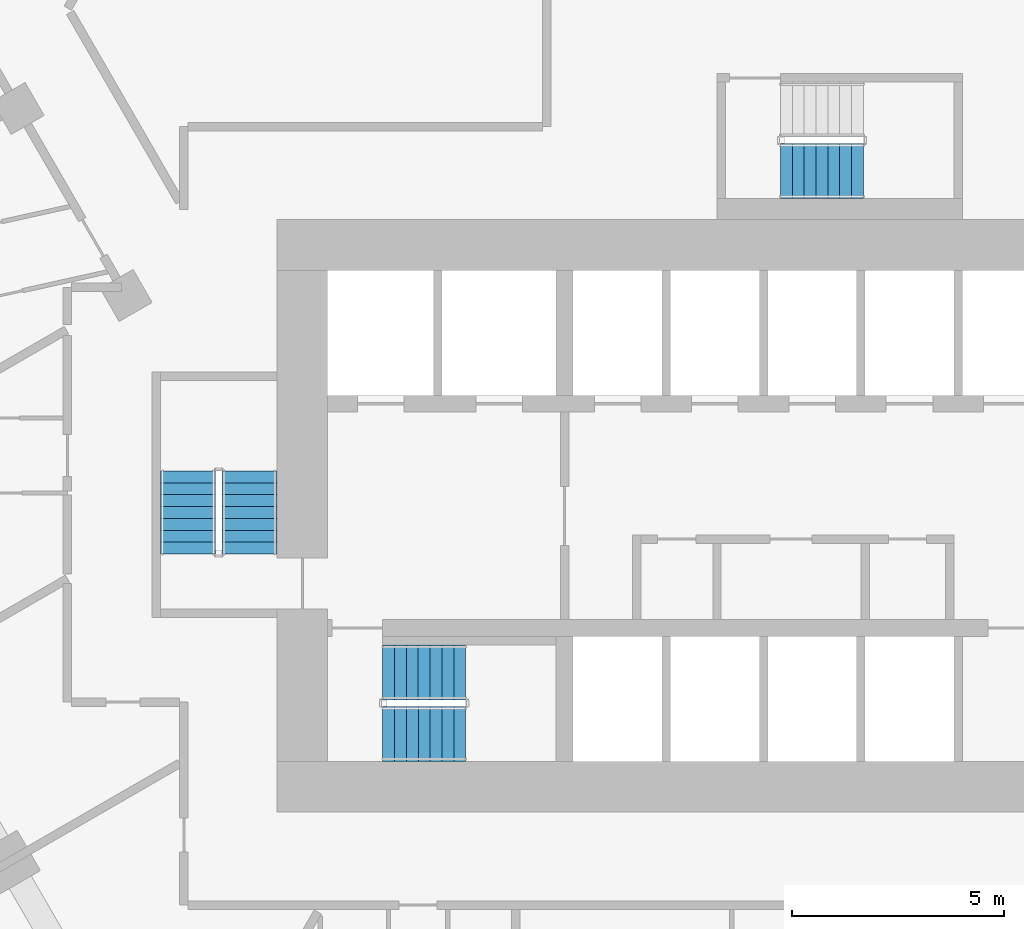
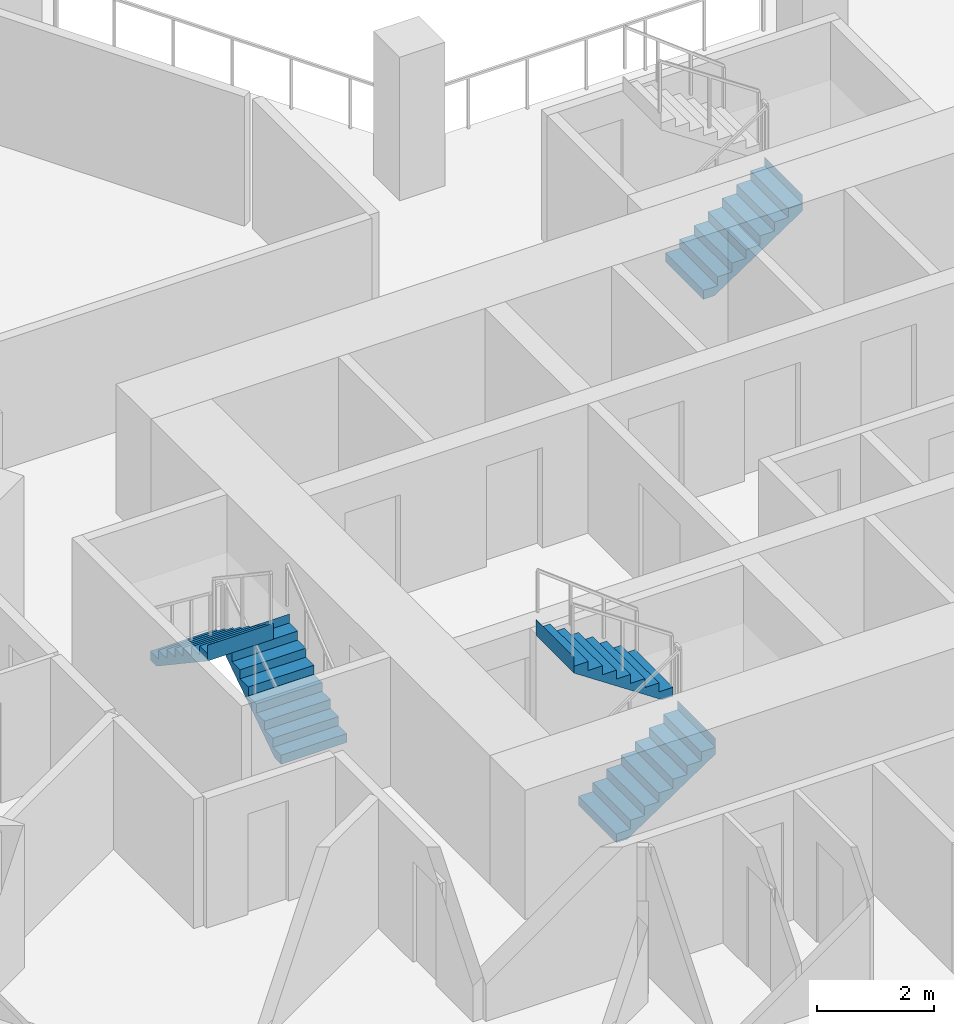
# One storey, part 16 of 21: 5 stair flights, 3 elements without a shape of their own.
"""IFC4 building model written with IfcOpenShell, lengths in metres."""

from ifc_helpers import new_model, si_unit, direction, frame, origin, place, context, subcontext, project, spatial, triangles, material, type_object, element, aggregate, save


model = new_model("IFC4")

# Units and contexts
model_context = context("Model", 3, precision=1e-05, world=origin(), true_north=direction((0.0, 1.0)))
body_context = subcontext(model_context, "Body", "Model", "MODEL_VIEW")
ifc_project = project(units=[si_unit("LENGTHUNIT", "METRE"), si_unit("AREAUNIT", "SQUARE_METRE"), si_unit("VOLUMEUNIT", "CUBIC_METRE"), si_unit("PLANEANGLEUNIT", "RADIAN"), si_unit("MASSUNIT", "GRAM", prefix="KILO")], contexts=[model_context])

# Site, building, storey
site_placement = place(None, origin())
site = spatial("IfcSite", under=ifc_project, at=site_placement, CompositionType="ELEMENT")
building_placement = place(site_placement, origin())
building = spatial("IfcBuilding", under=site, at=building_placement, Name="Beryl Residences", CompositionType="ELEMENT")
storey_placement = place(building_placement, frame((0.0, 0.0, 29.39990234375)))
storey = spatial("IfcBuildingStorey", under=building, at=storey_placement, Name="L08", CompositionType="ELEMENT", Elevation=29.39990234375)

# Stair, stair flights
ifc_material_1 = material(Name="Concrete C40/50", Category="concrete")
stair_type = type_object("IfcStairType", Name="ST1 protected exit stair, half-turn, 1300 mm flights", PredefinedType="HALF_TURN_STAIR", material=ifc_material_1)
stair_1_placement = place(storey_placement, origin())
stair_1 = element("IfcStair", 1, at=stair_1_placement, inside=storey, type_object=stair_type, Name="L08 PROTECTED EXIT STAIR ST-1", PredefinedType="HALF_TURN_STAIR")
ifc_material_2 = material(Name="Concrete C40/50", Category="concrete")
stair_flight_type = type_object("IfcStairFlightType", Name="SF1 stair flight 1300 mm", PredefinedType="STRAIGHT", material=ifc_material_2)
stair_flight_1_placement = place(storey_placement, frame((-10.800048828125, -17.14990234375, 0.0), z_axis=(0.0, 0.0, 1.0), x_axis=(1.0, 0.0, 0.0)))
stair_flight_1 = element("IfcStairFlight", 2, at=stair_flight_1_placement, type_object=stair_flight_type, Name="ST-1 flight 1", NumberOfRisers=8, NumberOfTreads=7, PredefinedType="STRAIGHT", RiserHeight=0.1875, TreadLength=0.28, context=body_context, shape_type="Tessellation", body=[
    triangles([(0.0, -0.64990234375, 0.0), (0.0, -0.324951171875, 0.0), (0.0, 0.0, 0.0), (0.0, 0.324951171875, 0.0), (0.0, 0.64990234375, 0.0), (0.0, -0.64990234375, 0.1875), (0.0, -0.324951171875, 0.1875), (0.0, 0.0, 0.1875), (0.0, 0.324951171875, 0.1875), (0.0, 0.64990234375, 0.1875), (0.280029296875, -0.64990234375, 0.1875), (0.280029296875, -0.324951171875, 0.1875), (0.280029296875, 0.0, 0.1875), (0.280029296875, 0.324951171875, 0.1875), (0.280029296875, 0.64990234375, 0.1875), (0.280029296875, -0.64990234375, 0.375), (0.280029296875, -0.324951171875, 0.375), (0.280029296875, 0.0, 0.375), (0.280029296875, 0.324951171875, 0.375), (0.280029296875, 0.64990234375, 0.375), (0.56005859375, -0.64990234375, 0.375), (0.56005859375, -0.324951171875, 0.375), (0.56005859375, 0.0, 0.375), (0.56005859375, 0.324951171875, 0.375), (0.56005859375, 0.64990234375, 0.375), (0.56005859375, -0.64990234375, 0.5625), (0.56005859375, -0.324951171875, 0.5625), (0.56005859375, 0.0, 0.5625), (0.56005859375, 0.324951171875, 0.5625), (0.56005859375, 0.64990234375, 0.5625), (0.840087890625, -0.64990234375, 0.5625), (0.840087890625, -0.324951171875, 0.5625), (0.840087890625, 0.0, 0.5625), (0.840087890625, 0.324951171875, 0.5625), (0.840087890625, 0.64990234375, 0.5625), (0.840087890625, -0.64990234375, 0.75), (0.840087890625, -0.324951171875, 0.75), (0.840087890625, 0.0, 0.75), (0.840087890625, 0.324951171875, 0.75), (0.840087890625, 0.64990234375, 0.75), (1.1201171875, -0.64990234375, 0.75), (1.1201171875, -0.324951171875, 0.75), (1.1201171875, 0.0, 0.75), (1.1201171875, 0.324951171875, 0.75), (1.1201171875, 0.64990234375, 0.75), (1.1201171875, -0.64990234375, 0.9375), (1.1201171875, -0.324951171875, 0.9375), (1.1201171875, 0.0, 0.9375), (1.1201171875, 0.324951171875, 0.9375), (1.1201171875, 0.64990234375, 0.9375), (1.39990234375, -0.64990234375, 0.9375), (1.39990234375, -0.324951171875, 0.9375), (1.39990234375, 0.0, 0.9375), (1.39990234375, 0.324951171875, 0.9375), (1.39990234375, 0.64990234375, 0.9375), (1.39990234375, -0.64990234375, 1.125), (1.39990234375, -0.324951171875, 1.125), (1.39990234375, 0.0, 1.125), (1.39990234375, 0.324951171875, 1.125), (1.39990234375, 0.64990234375, 1.125), (1.679931640625, -0.64990234375, 1.125), (1.679931640625, -0.324951171875, 1.125), (1.679931640625, 0.0, 1.125), (1.679931640625, 0.324951171875, 1.125), (1.679931640625, 0.64990234375, 1.125), (1.679931640625, -0.64990234375, 1.3125), (1.679931640625, -0.324951171875, 1.3125), (1.679931640625, 0.0, 1.3125), (1.679931640625, 0.324951171875, 1.3125), (1.679931640625, 0.64990234375, 1.3125), (1.9599609375, -0.64990234375, 1.3125), (1.9599609375, -0.324951171875, 1.3125), (1.9599609375, 0.0, 1.3125), (1.9599609375, 0.324951171875, 1.3125), (1.9599609375, 0.64990234375, 1.3125), (1.9599609375, -0.64990234375, 1.5), (1.9599609375, -0.324951171875, 1.5), (1.9599609375, 0.0, 1.5), (1.9599609375, 0.324951171875, 1.5), (1.9599609375, 0.64990234375, 1.5), (1.9609375, -0.64990234375, 1.5), (1.9609375, -0.324951171875, 1.5), (1.9609375, 0.0, 1.5), (1.9609375, 0.324951171875, 1.5), (1.9609375, 0.64990234375, 1.5), (1.9609375, -0.64990234375, 1.16796875), (1.9609375, -0.324951171875, 1.16796875), (1.9609375, 0.0, 1.16796875), (1.9609375, 0.324951171875, 1.16796875), (1.9609375, 0.64990234375, 1.16796875), (0.216796875, -0.64990234375, 0.0), (0.216796875, -0.324951171875, 0.0), (0.216796875, 0.0, 0.0), (0.216796875, 0.324951171875, 0.0), (0.216796875, 0.64990234375, 0.0)], [[1, 6, 7], [1, 7, 2], [2, 7, 8], [2, 8, 3], [3, 8, 9], [3, 9, 4], [4, 9, 10], [4, 10, 5], [6, 11, 12], [6, 12, 7], [7, 12, 13], [7, 13, 8], [8, 13, 14], [8, 14, 9], [9, 14, 15], [9, 15, 10], [11, 16, 17], [11, 17, 12], [12, 17, 18], [12, 18, 13], [13, 18, 19], [13, 19, 14], [14, 19, 20], [14, 20, 15], [16, 21, 22], [16, 22, 17], [17, 22, 23], [17, 23, 18], [18, 23, 24], [18, 24, 19], [19, 24, 25], [19, 25, 20], [21, 26, 27], [21, 27, 22], [22, 27, 28], [22, 28, 23], [23, 28, 29], [23, 29, 24], [24, 29, 30], [24, 30, 25], [26, 31, 32], [26, 32, 27], [27, 32, 33], [27, 33, 28], [28, 33, 34], [28, 34, 29], [29, 34, 35], [29, 35, 30], [31, 36, 37], [31, 37, 32], [32, 37, 38], [32, 38, 33], [33, 38, 39], [33, 39, 34], [34, 39, 40], [34, 40, 35], [36, 41, 42], [36, 42, 37], [37, 42, 43], [37, 43, 38], [38, 43, 44], [38, 44, 39], [39, 44, 45], [39, 45, 40], [41, 46, 47], [41, 47, 42], [42, 47, 48], [42, 48, 43], [43, 48, 49], [43, 49, 44], [44, 49, 50], [44, 50, 45], [46, 51, 52], [46, 52, 47], [47, 52, 53], [47, 53, 48], [48, 53, 54], [48, 54, 49], [49, 54, 55], [49, 55, 50], [51, 56, 57], [51, 57, 52], [52, 57, 58], [52, 58, 53], [53, 58, 59], [53, 59, 54], [54, 59, 60], [54, 60, 55], [56, 61, 62], [56, 62, 57], [57, 62, 63], [57, 63, 58], [58, 63, 64], [58, 64, 59], [59, 64, 65], [59, 65, 60], [61, 66, 67], [61, 67, 62], [62, 67, 68], [62, 68, 63], [63, 68, 69], [63, 69, 64], [64, 69, 70], [64, 70, 65], [66, 71, 72], [66, 72, 67], [67, 72, 73], [67, 73, 68], [68, 73, 74], [68, 74, 69], [69, 74, 75], [69, 75, 70], [71, 76, 77], [71, 77, 72], [72, 77, 78], [72, 78, 73], [73, 78, 79], [73, 79, 74], [74, 79, 80], [74, 80, 75], [76, 81, 82], [76, 82, 77], [77, 82, 83], [77, 83, 78], [78, 83, 84], [78, 84, 79], [79, 84, 85], [79, 85, 80], [81, 86, 87], [81, 87, 82], [82, 87, 88], [82, 88, 83], [83, 88, 89], [83, 89, 84], [84, 89, 90], [84, 90, 85], [86, 91, 92], [86, 92, 87], [87, 92, 93], [87, 93, 88], [88, 93, 94], [88, 94, 89], [89, 94, 95], [89, 95, 90], [91, 1, 2], [91, 2, 92], [92, 2, 3], [92, 3, 93], [93, 3, 4], [93, 4, 94], [94, 4, 5], [94, 5, 95], [1, 91, 86], [5, 90, 95], [86, 81, 76], [90, 80, 85], [86, 76, 71], [90, 75, 80], [86, 71, 66], [90, 70, 75], [86, 66, 61], [90, 65, 70], [61, 56, 51], [65, 55, 60], [86, 61, 51], [90, 55, 65], [51, 46, 41], [55, 45, 50], [86, 51, 41], [90, 45, 55], [41, 36, 31], [45, 35, 40], [86, 41, 31], [90, 35, 45], [31, 26, 21], [35, 25, 30], [86, 31, 21], [90, 25, 35], [21, 16, 11], [25, 15, 20], [86, 21, 11], [90, 15, 25], [1, 86, 11], [5, 15, 90], [11, 6, 1], [15, 5, 10]], closed=True),
])
stair_flight_2_placement = place(storey_placement, frame((-8.840087890625, -15.699951171875, 1.5), z_axis=(0.0, 0.0, 1.0), x_axis=(-1.0, 0.0, 0.0)))
stair_flight_2 = element("IfcStairFlight", 3, at=stair_flight_2_placement, type_object=stair_flight_type, Name="ST-1 flight 2", NumberOfRisers=8, NumberOfTreads=7, PredefinedType="STRAIGHT", RiserHeight=0.1875, TreadLength=0.28, context=body_context, shape_type="Tessellation", body=[
    triangles([(0.0, -0.64990234375, 0.0), (0.0, -0.324951171875, 0.0), (0.0, 0.0, 0.0), (0.0, 0.324951171875, 0.0), (0.0, 0.64990234375, 0.0), (0.0, -0.64990234375, 0.1875), (0.0, -0.324951171875, 0.1875), (0.0, 0.0, 0.1875), (0.0, 0.324951171875, 0.1875), (0.0, 0.64990234375, 0.1875), (0.280029296875, -0.64990234375, 0.1875), (0.280029296875, -0.324951171875, 0.1875), (0.280029296875, 0.0, 0.1875), (0.280029296875, 0.324951171875, 0.1875), (0.280029296875, 0.64990234375, 0.1875), (0.280029296875, -0.64990234375, 0.375), (0.280029296875, -0.324951171875, 0.375), (0.280029296875, 0.0, 0.375), (0.280029296875, 0.324951171875, 0.375), (0.280029296875, 0.64990234375, 0.375), (0.56005859375, -0.64990234375, 0.375), (0.56005859375, -0.324951171875, 0.375), (0.56005859375, 0.0, 0.375), (0.56005859375, 0.324951171875, 0.375), (0.56005859375, 0.64990234375, 0.375), (0.56005859375, -0.64990234375, 0.5625), (0.56005859375, -0.324951171875, 0.5625), (0.56005859375, 0.0, 0.5625), (0.56005859375, 0.324951171875, 0.5625), (0.56005859375, 0.64990234375, 0.5625), (0.840087890625, -0.64990234375, 0.5625), (0.840087890625, -0.324951171875, 0.5625), (0.840087890625, 0.0, 0.5625), (0.840087890625, 0.324951171875, 0.5625), (0.840087890625, 0.64990234375, 0.5625), (0.840087890625, -0.64990234375, 0.75), (0.840087890625, -0.324951171875, 0.75), (0.840087890625, 0.0, 0.75), (0.840087890625, 0.324951171875, 0.75), (0.840087890625, 0.64990234375, 0.75), (1.1201171875, -0.64990234375, 0.75), (1.1201171875, -0.324951171875, 0.75), (1.1201171875, 0.0, 0.75), (1.1201171875, 0.324951171875, 0.75), (1.1201171875, 0.64990234375, 0.75), (1.1201171875, -0.64990234375, 0.9375), (1.1201171875, -0.324951171875, 0.9375), (1.1201171875, 0.0, 0.9375), (1.1201171875, 0.324951171875, 0.9375), (1.1201171875, 0.64990234375, 0.9375), (1.39990234375, -0.64990234375, 0.9375), (1.39990234375, -0.324951171875, 0.9375), (1.39990234375, 0.0, 0.9375), (1.39990234375, 0.324951171875, 0.9375), (1.39990234375, 0.64990234375, 0.9375), (1.39990234375, -0.64990234375, 1.125), (1.39990234375, -0.324951171875, 1.125), (1.39990234375, 0.0, 1.125), (1.39990234375, 0.324951171875, 1.125), (1.39990234375, 0.64990234375, 1.125), (1.679931640625, -0.64990234375, 1.125), (1.679931640625, -0.324951171875, 1.125), (1.679931640625, 0.0, 1.125), (1.679931640625, 0.324951171875, 1.125), (1.679931640625, 0.64990234375, 1.125), (1.679931640625, -0.64990234375, 1.3125), (1.679931640625, -0.324951171875, 1.3125), (1.679931640625, 0.0, 1.3125), (1.679931640625, 0.324951171875, 1.3125), (1.679931640625, 0.64990234375, 1.3125), (1.9599609375, -0.64990234375, 1.3125), (1.9599609375, -0.324951171875, 1.3125), (1.9599609375, 0.0, 1.3125), (1.9599609375, 0.324951171875, 1.3125), (1.9599609375, 0.64990234375, 1.3125), (1.9599609375, -0.64990234375, 1.5), (1.9599609375, -0.324951171875, 1.5), (1.9599609375, 0.0, 1.5), (1.9599609375, 0.324951171875, 1.5), (1.9599609375, 0.64990234375, 1.5), (1.9609375, -0.64990234375, 1.5), (1.9609375, -0.324951171875, 1.5), (1.9609375, 0.0, 1.5), (1.9609375, 0.324951171875, 1.5), (1.9609375, 0.64990234375, 1.5), (1.9609375, -0.64990234375, 1.16796875), (1.9609375, -0.324951171875, 1.16796875), (1.9609375, 0.0, 1.16796875), (1.9609375, 0.324951171875, 1.16796875), (1.9609375, 0.64990234375, 1.16796875), (0.216796875, -0.64990234375, 0.0), (0.216796875, -0.324951171875, 0.0), (0.216796875, 0.0, 0.0), (0.216796875, 0.324951171875, 0.0), (0.216796875, 0.64990234375, 0.0)], [[1, 6, 7], [1, 7, 2], [2, 7, 8], [2, 8, 3], [3, 8, 9], [3, 9, 4], [4, 9, 10], [4, 10, 5], [6, 11, 12], [6, 12, 7], [7, 12, 13], [7, 13, 8], [8, 13, 14], [8, 14, 9], [9, 14, 15], [9, 15, 10], [11, 16, 17], [11, 17, 12], [12, 17, 18], [12, 18, 13], [13, 18, 19], [13, 19, 14], [14, 19, 20], [14, 20, 15], [16, 21, 22], [16, 22, 17], [17, 22, 23], [17, 23, 18], [18, 23, 24], [18, 24, 19], [19, 24, 25], [19, 25, 20], [21, 26, 27], [21, 27, 22], [22, 27, 28], [22, 28, 23], [23, 28, 29], [23, 29, 24], [24, 29, 30], [24, 30, 25], [26, 31, 32], [26, 32, 27], [27, 32, 33], [27, 33, 28], [28, 33, 34], [28, 34, 29], [29, 34, 35], [29, 35, 30], [31, 36, 37], [31, 37, 32], [32, 37, 38], [32, 38, 33], [33, 38, 39], [33, 39, 34], [34, 39, 40], [34, 40, 35], [36, 41, 42], [36, 42, 37], [37, 42, 43], [37, 43, 38], [38, 43, 44], [38, 44, 39], [39, 44, 45], [39, 45, 40], [41, 46, 47], [41, 47, 42], [42, 47, 48], [42, 48, 43], [43, 48, 49], [43, 49, 44], [44, 49, 50], [44, 50, 45], [46, 51, 52], [46, 52, 47], [47, 52, 53], [47, 53, 48], [48, 53, 54], [48, 54, 49], [49, 54, 55], [49, 55, 50], [51, 56, 57], [51, 57, 52], [52, 57, 58], [52, 58, 53], [53, 58, 59], [53, 59, 54], [54, 59, 60], [54, 60, 55], [56, 61, 62], [56, 62, 57], [57, 62, 63], [57, 63, 58], [58, 63, 64], [58, 64, 59], [59, 64, 65], [59, 65, 60], [61, 66, 67], [61, 67, 62], [62, 67, 68], [62, 68, 63], [63, 68, 69], [63, 69, 64], [64, 69, 70], [64, 70, 65], [66, 71, 72], [66, 72, 67], [67, 72, 73], [67, 73, 68], [68, 73, 74], [68, 74, 69], [69, 74, 75], [69, 75, 70], [71, 76, 77], [71, 77, 72], [72, 77, 78], [72, 78, 73], [73, 78, 79], [73, 79, 74], [74, 79, 80], [74, 80, 75], [76, 81, 82], [76, 82, 77], [77, 82, 83], [77, 83, 78], [78, 83, 84], [78, 84, 79], [79, 84, 85], [79, 85, 80], [81, 86, 87], [81, 87, 82], [82, 87, 88], [82, 88, 83], [83, 88, 89], [83, 89, 84], [84, 89, 90], [84, 90, 85], [86, 91, 92], [86, 92, 87], [87, 92, 93], [87, 93, 88], [88, 93, 94], [88, 94, 89], [89, 94, 95], [89, 95, 90], [91, 1, 2], [91, 2, 92], [92, 2, 3], [92, 3, 93], [93, 3, 4], [93, 4, 94], [94, 4, 5], [94, 5, 95], [1, 91, 86], [5, 90, 95], [86, 81, 76], [90, 80, 85], [86, 76, 71], [90, 75, 80], [86, 71, 66], [90, 70, 75], [86, 66, 61], [90, 65, 70], [61, 56, 51], [65, 55, 60], [86, 61, 51], [90, 55, 65], [51, 46, 41], [55, 45, 50], [86, 51, 41], [90, 45, 55], [41, 36, 31], [45, 35, 40], [86, 41, 31], [90, 35, 45], [31, 26, 21], [35, 25, 30], [86, 31, 21], [90, 25, 35], [21, 16, 11], [25, 15, 20], [86, 21, 11], [90, 15, 25], [1, 86, 11], [5, 15, 90], [11, 6, 1], [15, 5, 10]], closed=True),
])
aggregate(stair_1, [stair_flight_1, stair_flight_2])

stair_2_placement = place(storey_placement, origin())
stair_2 = element("IfcStair", 4, at=stair_2_placement, inside=storey, type_object=stair_type, Name="L08 PROTECTED EXIT STAIR ST-2", PredefinedType="HALF_TURN_STAIR")
stair_flight_3_placement = place(storey_placement, frame((-13.949951171875, -12.89990234375, 0.0), z_axis=(0.0, 0.0, 1.0), x_axis=(0.0, 1.0, 0.0)))
stair_flight_3 = element("IfcStairFlight", 5, at=stair_flight_3_placement, type_object=stair_flight_type, Name="ST-2 flight 1", NumberOfRisers=8, NumberOfTreads=7, PredefinedType="STRAIGHT", RiserHeight=0.1875, TreadLength=0.28, context=body_context, shape_type="Tessellation", body=[
    triangles([(0.0, -0.64990234375, 0.0), (0.0, -0.324951171875, 0.0), (0.0, 0.0, 0.0), (0.0, 0.324951171875, 0.0), (0.0, 0.64990234375, 0.0), (0.0, -0.64990234375, 0.1875), (0.0, -0.324951171875, 0.1875), (0.0, 0.0, 0.1875), (0.0, 0.324951171875, 0.1875), (0.0, 0.64990234375, 0.1875), (0.280029296875, -0.64990234375, 0.1875), (0.280029296875, -0.324951171875, 0.1875), (0.280029296875, 0.0, 0.1875), (0.280029296875, 0.324951171875, 0.1875), (0.280029296875, 0.64990234375, 0.1875), (0.280029296875, -0.64990234375, 0.375), (0.280029296875, -0.324951171875, 0.375), (0.280029296875, 0.0, 0.375), (0.280029296875, 0.324951171875, 0.375), (0.280029296875, 0.64990234375, 0.375), (0.56005859375, -0.64990234375, 0.375), (0.56005859375, -0.324951171875, 0.375), (0.56005859375, 0.0, 0.375), (0.56005859375, 0.324951171875, 0.375), (0.56005859375, 0.64990234375, 0.375), (0.56005859375, -0.64990234375, 0.5625), (0.56005859375, -0.324951171875, 0.5625), (0.56005859375, 0.0, 0.5625), (0.56005859375, 0.324951171875, 0.5625), (0.56005859375, 0.64990234375, 0.5625), (0.840087890625, -0.64990234375, 0.5625), (0.840087890625, -0.324951171875, 0.5625), (0.840087890625, 0.0, 0.5625), (0.840087890625, 0.324951171875, 0.5625), (0.840087890625, 0.64990234375, 0.5625), (0.840087890625, -0.64990234375, 0.75), (0.840087890625, -0.324951171875, 0.75), (0.840087890625, 0.0, 0.75), (0.840087890625, 0.324951171875, 0.75), (0.840087890625, 0.64990234375, 0.75), (1.1201171875, -0.64990234375, 0.75), (1.1201171875, -0.324951171875, 0.75), (1.1201171875, 0.0, 0.75), (1.1201171875, 0.324951171875, 0.75), (1.1201171875, 0.64990234375, 0.75), (1.1201171875, -0.64990234375, 0.9375), (1.1201171875, -0.324951171875, 0.9375), (1.1201171875, 0.0, 0.9375), (1.1201171875, 0.324951171875, 0.9375), (1.1201171875, 0.64990234375, 0.9375), (1.39990234375, -0.64990234375, 0.9375), (1.39990234375, -0.324951171875, 0.9375), (1.39990234375, 0.0, 0.9375), (1.39990234375, 0.324951171875, 0.9375), (1.39990234375, 0.64990234375, 0.9375), (1.39990234375, -0.64990234375, 1.125), (1.39990234375, -0.324951171875, 1.125), (1.39990234375, 0.0, 1.125), (1.39990234375, 0.324951171875, 1.125), (1.39990234375, 0.64990234375, 1.125), (1.679931640625, -0.64990234375, 1.125), (1.679931640625, -0.324951171875, 1.125), (1.679931640625, 0.0, 1.125), (1.679931640625, 0.324951171875, 1.125), (1.679931640625, 0.64990234375, 1.125), (1.679931640625, -0.64990234375, 1.3125), (1.679931640625, -0.324951171875, 1.3125), (1.679931640625, 0.0, 1.3125), (1.679931640625, 0.324951171875, 1.3125), (1.679931640625, 0.64990234375, 1.3125), (1.9599609375, -0.64990234375, 1.3125), (1.9599609375, -0.324951171875, 1.3125), (1.9599609375, 0.0, 1.3125), (1.9599609375, 0.324951171875, 1.3125), (1.9599609375, 0.64990234375, 1.3125), (1.9599609375, -0.64990234375, 1.5), (1.9599609375, -0.324951171875, 1.5), (1.9599609375, 0.0, 1.5), (1.9599609375, 0.324951171875, 1.5), (1.9599609375, 0.64990234375, 1.5), (1.9609375, -0.64990234375, 1.5), (1.9609375, -0.324951171875, 1.5), (1.9609375, 0.0, 1.5), (1.9609375, 0.324951171875, 1.5), (1.9609375, 0.64990234375, 1.5), (1.9609375, -0.64990234375, 1.16796875), (1.9609375, -0.324951171875, 1.16796875), (1.9609375, 0.0, 1.16796875), (1.9609375, 0.324951171875, 1.16796875), (1.9609375, 0.64990234375, 1.16796875), (0.216796875, -0.64990234375, 0.0), (0.216796875, -0.324951171875, 0.0), (0.216796875, 0.0, 0.0), (0.216796875, 0.324951171875, 0.0), (0.216796875, 0.64990234375, 0.0)], [[1, 6, 7], [1, 7, 2], [2, 7, 8], [2, 8, 3], [3, 8, 9], [3, 9, 4], [4, 9, 10], [4, 10, 5], [6, 11, 12], [6, 12, 7], [7, 12, 13], [7, 13, 8], [8, 13, 14], [8, 14, 9], [9, 14, 15], [9, 15, 10], [11, 16, 17], [11, 17, 12], [12, 17, 18], [12, 18, 13], [13, 18, 19], [13, 19, 14], [14, 19, 20], [14, 20, 15], [16, 21, 22], [16, 22, 17], [17, 22, 23], [17, 23, 18], [18, 23, 24], [18, 24, 19], [19, 24, 25], [19, 25, 20], [21, 26, 27], [21, 27, 22], [22, 27, 28], [22, 28, 23], [23, 28, 29], [23, 29, 24], [24, 29, 30], [24, 30, 25], [26, 31, 32], [26, 32, 27], [27, 32, 33], [27, 33, 28], [28, 33, 34], [28, 34, 29], [29, 34, 35], [29, 35, 30], [31, 36, 37], [31, 37, 32], [32, 37, 38], [32, 38, 33], [33, 38, 39], [33, 39, 34], [34, 39, 40], [34, 40, 35], [36, 41, 42], [36, 42, 37], [37, 42, 43], [37, 43, 38], [38, 43, 44], [38, 44, 39], [39, 44, 45], [39, 45, 40], [41, 46, 47], [41, 47, 42], [42, 47, 48], [42, 48, 43], [43, 48, 49], [43, 49, 44], [44, 49, 50], [44, 50, 45], [46, 51, 52], [46, 52, 47], [47, 52, 53], [47, 53, 48], [48, 53, 54], [48, 54, 49], [49, 54, 55], [49, 55, 50], [51, 56, 57], [51, 57, 52], [52, 57, 58], [52, 58, 53], [53, 58, 59], [53, 59, 54], [54, 59, 60], [54, 60, 55], [56, 61, 62], [56, 62, 57], [57, 62, 63], [57, 63, 58], [58, 63, 64], [58, 64, 59], [59, 64, 65], [59, 65, 60], [61, 66, 67], [61, 67, 62], [62, 67, 68], [62, 68, 63], [63, 68, 69], [63, 69, 64], [64, 69, 70], [64, 70, 65], [66, 71, 72], [66, 72, 67], [67, 72, 73], [67, 73, 68], [68, 73, 74], [68, 74, 69], [69, 74, 75], [69, 75, 70], [71, 76, 77], [71, 77, 72], [72, 77, 78], [72, 78, 73], [73, 78, 79], [73, 79, 74], [74, 79, 80], [74, 80, 75], [76, 81, 82], [76, 82, 77], [77, 82, 83], [77, 83, 78], [78, 83, 84], [78, 84, 79], [79, 84, 85], [79, 85, 80], [81, 86, 87], [81, 87, 82], [82, 87, 88], [82, 88, 83], [83, 88, 89], [83, 89, 84], [84, 89, 90], [84, 90, 85], [86, 91, 92], [86, 92, 87], [87, 92, 93], [87, 93, 88], [88, 93, 94], [88, 94, 89], [89, 94, 95], [89, 95, 90], [91, 1, 2], [91, 2, 92], [92, 2, 3], [92, 3, 93], [93, 3, 4], [93, 4, 94], [94, 4, 5], [94, 5, 95], [1, 91, 86], [5, 90, 95], [86, 81, 76], [90, 80, 85], [86, 76, 71], [90, 75, 80], [86, 71, 66], [90, 70, 75], [86, 66, 61], [90, 65, 70], [61, 56, 51], [65, 55, 60], [86, 61, 51], [90, 55, 65], [51, 46, 41], [55, 45, 50], [86, 51, 41], [90, 45, 55], [41, 36, 31], [45, 35, 40], [86, 41, 31], [90, 35, 45], [31, 26, 21], [35, 25, 30], [86, 31, 21], [90, 25, 35], [21, 16, 11], [25, 15, 20], [86, 21, 11], [90, 15, 25], [1, 86, 11], [5, 15, 90], [11, 6, 1], [15, 5, 10]], closed=True),
])
stair_flight_4_placement = place(storey_placement, frame((-15.39990234375, -10.93994140625, 1.5), z_axis=(0.0, 0.0, 1.0), x_axis=(0.0, -1.0, 0.0)))
stair_flight_4 = element("IfcStairFlight", 6, at=stair_flight_4_placement, type_object=stair_flight_type, Name="ST-2 flight 2", NumberOfRisers=8, NumberOfTreads=7, PredefinedType="STRAIGHT", RiserHeight=0.1875, TreadLength=0.28, context=body_context, shape_type="Tessellation", body=[
    triangles([(0.0, -0.64990234375, 0.0), (0.0, -0.324951171875, 0.0), (0.0, 0.0, 0.0), (0.0, 0.324951171875, 0.0), (0.0, 0.64990234375, 0.0), (0.0, -0.64990234375, 0.1875), (0.0, -0.324951171875, 0.1875), (0.0, 0.0, 0.1875), (0.0, 0.324951171875, 0.1875), (0.0, 0.64990234375, 0.1875), (0.280029296875, -0.64990234375, 0.1875), (0.280029296875, -0.324951171875, 0.1875), (0.280029296875, 0.0, 0.1875), (0.280029296875, 0.324951171875, 0.1875), (0.280029296875, 0.64990234375, 0.1875), (0.280029296875, -0.64990234375, 0.375), (0.280029296875, -0.324951171875, 0.375), (0.280029296875, 0.0, 0.375), (0.280029296875, 0.324951171875, 0.375), (0.280029296875, 0.64990234375, 0.375), (0.56005859375, -0.64990234375, 0.375), (0.56005859375, -0.324951171875, 0.375), (0.56005859375, 0.0, 0.375), (0.56005859375, 0.324951171875, 0.375), (0.56005859375, 0.64990234375, 0.375), (0.56005859375, -0.64990234375, 0.5625), (0.56005859375, -0.324951171875, 0.5625), (0.56005859375, 0.0, 0.5625), (0.56005859375, 0.324951171875, 0.5625), (0.56005859375, 0.64990234375, 0.5625), (0.840087890625, -0.64990234375, 0.5625), (0.840087890625, -0.324951171875, 0.5625), (0.840087890625, 0.0, 0.5625), (0.840087890625, 0.324951171875, 0.5625), (0.840087890625, 0.64990234375, 0.5625), (0.840087890625, -0.64990234375, 0.75), (0.840087890625, -0.324951171875, 0.75), (0.840087890625, 0.0, 0.75), (0.840087890625, 0.324951171875, 0.75), (0.840087890625, 0.64990234375, 0.75), (1.1201171875, -0.64990234375, 0.75), (1.1201171875, -0.324951171875, 0.75), (1.1201171875, 0.0, 0.75), (1.1201171875, 0.324951171875, 0.75), (1.1201171875, 0.64990234375, 0.75), (1.1201171875, -0.64990234375, 0.9375), (1.1201171875, -0.324951171875, 0.9375), (1.1201171875, 0.0, 0.9375), (1.1201171875, 0.324951171875, 0.9375), (1.1201171875, 0.64990234375, 0.9375), (1.39990234375, -0.64990234375, 0.9375), (1.39990234375, -0.324951171875, 0.9375), (1.39990234375, 0.0, 0.9375), (1.39990234375, 0.324951171875, 0.9375), (1.39990234375, 0.64990234375, 0.9375), (1.39990234375, -0.64990234375, 1.125), (1.39990234375, -0.324951171875, 1.125), (1.39990234375, 0.0, 1.125), (1.39990234375, 0.324951171875, 1.125), (1.39990234375, 0.64990234375, 1.125), (1.679931640625, -0.64990234375, 1.125), (1.679931640625, -0.324951171875, 1.125), (1.679931640625, 0.0, 1.125), (1.679931640625, 0.324951171875, 1.125), (1.679931640625, 0.64990234375, 1.125), (1.679931640625, -0.64990234375, 1.3125), (1.679931640625, -0.324951171875, 1.3125), (1.679931640625, 0.0, 1.3125), (1.679931640625, 0.324951171875, 1.3125), (1.679931640625, 0.64990234375, 1.3125), (1.9599609375, -0.64990234375, 1.3125), (1.9599609375, -0.324951171875, 1.3125), (1.9599609375, 0.0, 1.3125), (1.9599609375, 0.324951171875, 1.3125), (1.9599609375, 0.64990234375, 1.3125), (1.9599609375, -0.64990234375, 1.5), (1.9599609375, -0.324951171875, 1.5), (1.9599609375, 0.0, 1.5), (1.9599609375, 0.324951171875, 1.5), (1.9599609375, 0.64990234375, 1.5), (1.9609375, -0.64990234375, 1.5), (1.9609375, -0.324951171875, 1.5), (1.9609375, 0.0, 1.5), (1.9609375, 0.324951171875, 1.5), (1.9609375, 0.64990234375, 1.5), (1.9609375, -0.64990234375, 1.16796875), (1.9609375, -0.324951171875, 1.16796875), (1.9609375, 0.0, 1.16796875), (1.9609375, 0.324951171875, 1.16796875), (1.9609375, 0.64990234375, 1.16796875), (0.216796875, -0.64990234375, 0.0), (0.216796875, -0.324951171875, 0.0), (0.216796875, 0.0, 0.0), (0.216796875, 0.324951171875, 0.0), (0.216796875, 0.64990234375, 0.0)], [[1, 6, 7], [1, 7, 2], [2, 7, 8], [2, 8, 3], [3, 8, 9], [3, 9, 4], [4, 9, 10], [4, 10, 5], [6, 11, 12], [6, 12, 7], [7, 12, 13], [7, 13, 8], [8, 13, 14], [8, 14, 9], [9, 14, 15], [9, 15, 10], [11, 16, 17], [11, 17, 12], [12, 17, 18], [12, 18, 13], [13, 18, 19], [13, 19, 14], [14, 19, 20], [14, 20, 15], [16, 21, 22], [16, 22, 17], [17, 22, 23], [17, 23, 18], [18, 23, 24], [18, 24, 19], [19, 24, 25], [19, 25, 20], [21, 26, 27], [21, 27, 22], [22, 27, 28], [22, 28, 23], [23, 28, 29], [23, 29, 24], [24, 29, 30], [24, 30, 25], [26, 31, 32], [26, 32, 27], [27, 32, 33], [27, 33, 28], [28, 33, 34], [28, 34, 29], [29, 34, 35], [29, 35, 30], [31, 36, 37], [31, 37, 32], [32, 37, 38], [32, 38, 33], [33, 38, 39], [33, 39, 34], [34, 39, 40], [34, 40, 35], [36, 41, 42], [36, 42, 37], [37, 42, 43], [37, 43, 38], [38, 43, 44], [38, 44, 39], [39, 44, 45], [39, 45, 40], [41, 46, 47], [41, 47, 42], [42, 47, 48], [42, 48, 43], [43, 48, 49], [43, 49, 44], [44, 49, 50], [44, 50, 45], [46, 51, 52], [46, 52, 47], [47, 52, 53], [47, 53, 48], [48, 53, 54], [48, 54, 49], [49, 54, 55], [49, 55, 50], [51, 56, 57], [51, 57, 52], [52, 57, 58], [52, 58, 53], [53, 58, 59], [53, 59, 54], [54, 59, 60], [54, 60, 55], [56, 61, 62], [56, 62, 57], [57, 62, 63], [57, 63, 58], [58, 63, 64], [58, 64, 59], [59, 64, 65], [59, 65, 60], [61, 66, 67], [61, 67, 62], [62, 67, 68], [62, 68, 63], [63, 68, 69], [63, 69, 64], [64, 69, 70], [64, 70, 65], [66, 71, 72], [66, 72, 67], [67, 72, 73], [67, 73, 68], [68, 73, 74], [68, 74, 69], [69, 74, 75], [69, 75, 70], [71, 76, 77], [71, 77, 72], [72, 77, 78], [72, 78, 73], [73, 78, 79], [73, 79, 74], [74, 79, 80], [74, 80, 75], [76, 81, 82], [76, 82, 77], [77, 82, 83], [77, 83, 78], [78, 83, 84], [78, 84, 79], [79, 84, 85], [79, 85, 80], [81, 86, 87], [81, 87, 82], [82, 87, 88], [82, 88, 83], [83, 88, 89], [83, 89, 84], [84, 89, 90], [84, 90, 85], [86, 91, 92], [86, 92, 87], [87, 92, 93], [87, 93, 88], [88, 93, 94], [88, 94, 89], [89, 94, 95], [89, 95, 90], [91, 1, 2], [91, 2, 92], [92, 2, 3], [92, 3, 93], [93, 3, 4], [93, 4, 94], [94, 4, 5], [94, 5, 95], [1, 91, 86], [5, 90, 95], [86, 81, 76], [90, 80, 85], [86, 76, 71], [90, 75, 80], [86, 71, 66], [90, 70, 75], [86, 66, 61], [90, 65, 70], [61, 56, 51], [65, 55, 60], [86, 61, 51], [90, 55, 65], [51, 46, 41], [55, 45, 50], [86, 51, 41], [90, 45, 55], [41, 36, 31], [45, 35, 40], [86, 41, 31], [90, 35, 45], [31, 26, 21], [35, 25, 30], [86, 31, 21], [90, 25, 35], [21, 16, 11], [25, 15, 20], [86, 21, 11], [90, 15, 25], [1, 86, 11], [5, 15, 90], [11, 6, 1], [15, 5, 10]], closed=True),
])
aggregate(stair_2, [stair_flight_3, stair_flight_4])

# Stair, stair flight
stair_3_placement = place(storey_placement, origin())
stair_3 = element("IfcStair", 7, at=stair_3_placement, inside=storey, type_object=stair_type, Name="L08 PROTECTED EXIT STAIR ST-4", PredefinedType="HALF_TURN_STAIR")
stair_flight_5_placement = place(storey_placement, frame((-1.39990234375, -3.85009765625, 0.0), z_axis=(0.0, 0.0, 1.0), x_axis=(1.0, 0.0, 0.0)))
stair_flight_5 = element("IfcStairFlight", 8, at=stair_flight_5_placement, type_object=stair_flight_type, Name="ST-4 flight 1", NumberOfRisers=8, NumberOfTreads=7, PredefinedType="STRAIGHT", RiserHeight=0.1875, TreadLength=0.28, context=body_context, shape_type="Tessellation", body=[
    triangles([(0.0, -0.64990234375, 0.0), (0.0, -0.324951171875, 0.0), (0.0, 0.0, 0.0), (0.0, 0.324951171875, 0.0), (0.0, 0.64990234375, 0.0), (0.0, -0.64990234375, 0.1875), (0.0, -0.324951171875, 0.1875), (0.0, 0.0, 0.1875), (0.0, 0.324951171875, 0.1875), (0.0, 0.64990234375, 0.1875), (0.280029296875, -0.64990234375, 0.1875), (0.280029296875, -0.324951171875, 0.1875), (0.280029296875, 0.0, 0.1875), (0.280029296875, 0.324951171875, 0.1875), (0.280029296875, 0.64990234375, 0.1875), (0.280029296875, -0.64990234375, 0.375), (0.280029296875, -0.324951171875, 0.375), (0.280029296875, 0.0, 0.375), (0.280029296875, 0.324951171875, 0.375), (0.280029296875, 0.64990234375, 0.375), (0.56005859375, -0.64990234375, 0.375), (0.56005859375, -0.324951171875, 0.375), (0.56005859375, 0.0, 0.375), (0.56005859375, 0.324951171875, 0.375), (0.56005859375, 0.64990234375, 0.375), (0.56005859375, -0.64990234375, 0.5625), (0.56005859375, -0.324951171875, 0.5625), (0.56005859375, 0.0, 0.5625), (0.56005859375, 0.324951171875, 0.5625), (0.56005859375, 0.64990234375, 0.5625), (0.840087890625, -0.64990234375, 0.5625), (0.840087890625, -0.324951171875, 0.5625), (0.840087890625, 0.0, 0.5625), (0.840087890625, 0.324951171875, 0.5625), (0.840087890625, 0.64990234375, 0.5625), (0.840087890625, -0.64990234375, 0.75), (0.840087890625, -0.324951171875, 0.75), (0.840087890625, 0.0, 0.75), (0.840087890625, 0.324951171875, 0.75), (0.840087890625, 0.64990234375, 0.75), (1.1201171875, -0.64990234375, 0.75), (1.1201171875, -0.324951171875, 0.75), (1.1201171875, 0.0, 0.75), (1.1201171875, 0.324951171875, 0.75), (1.1201171875, 0.64990234375, 0.75), (1.1201171875, -0.64990234375, 0.9375), (1.1201171875, -0.324951171875, 0.9375), (1.1201171875, 0.0, 0.9375), (1.1201171875, 0.324951171875, 0.9375), (1.1201171875, 0.64990234375, 0.9375), (1.39990234375, -0.64990234375, 0.9375), (1.39990234375, -0.324951171875, 0.9375), (1.39990234375, 0.0, 0.9375), (1.39990234375, 0.324951171875, 0.9375), (1.39990234375, 0.64990234375, 0.9375), (1.39990234375, -0.64990234375, 1.125), (1.39990234375, -0.324951171875, 1.125), (1.39990234375, 0.0, 1.125), (1.39990234375, 0.324951171875, 1.125), (1.39990234375, 0.64990234375, 1.125), (1.679931640625, -0.64990234375, 1.125), (1.679931640625, -0.324951171875, 1.125), (1.679931640625, 0.0, 1.125), (1.679931640625, 0.324951171875, 1.125), (1.679931640625, 0.64990234375, 1.125), (1.679931640625, -0.64990234375, 1.3125), (1.679931640625, -0.324951171875, 1.3125), (1.679931640625, 0.0, 1.3125), (1.679931640625, 0.324951171875, 1.3125), (1.679931640625, 0.64990234375, 1.3125), (1.9599609375, -0.64990234375, 1.3125), (1.9599609375, -0.324951171875, 1.3125), (1.9599609375, 0.0, 1.3125), (1.9599609375, 0.324951171875, 1.3125), (1.9599609375, 0.64990234375, 1.3125), (1.9599609375, -0.64990234375, 1.5), (1.9599609375, -0.324951171875, 1.5), (1.9599609375, 0.0, 1.5), (1.9599609375, 0.324951171875, 1.5), (1.9599609375, 0.64990234375, 1.5), (1.9609375, -0.64990234375, 1.5), (1.9609375, -0.324951171875, 1.5), (1.9609375, 0.0, 1.5), (1.9609375, 0.324951171875, 1.5), (1.9609375, 0.64990234375, 1.5), (1.9609375, -0.64990234375, 1.16796875), (1.9609375, -0.324951171875, 1.16796875), (1.9609375, 0.0, 1.16796875), (1.9609375, 0.324951171875, 1.16796875), (1.9609375, 0.64990234375, 1.16796875), (0.216796875, -0.64990234375, 0.0), (0.216796875, -0.324951171875, 0.0), (0.216796875, 0.0, 0.0), (0.216796875, 0.324951171875, 0.0), (0.216796875, 0.64990234375, 0.0)], [[1, 6, 7], [1, 7, 2], [2, 7, 8], [2, 8, 3], [3, 8, 9], [3, 9, 4], [4, 9, 10], [4, 10, 5], [6, 11, 12], [6, 12, 7], [7, 12, 13], [7, 13, 8], [8, 13, 14], [8, 14, 9], [9, 14, 15], [9, 15, 10], [11, 16, 17], [11, 17, 12], [12, 17, 18], [12, 18, 13], [13, 18, 19], [13, 19, 14], [14, 19, 20], [14, 20, 15], [16, 21, 22], [16, 22, 17], [17, 22, 23], [17, 23, 18], [18, 23, 24], [18, 24, 19], [19, 24, 25], [19, 25, 20], [21, 26, 27], [21, 27, 22], [22, 27, 28], [22, 28, 23], [23, 28, 29], [23, 29, 24], [24, 29, 30], [24, 30, 25], [26, 31, 32], [26, 32, 27], [27, 32, 33], [27, 33, 28], [28, 33, 34], [28, 34, 29], [29, 34, 35], [29, 35, 30], [31, 36, 37], [31, 37, 32], [32, 37, 38], [32, 38, 33], [33, 38, 39], [33, 39, 34], [34, 39, 40], [34, 40, 35], [36, 41, 42], [36, 42, 37], [37, 42, 43], [37, 43, 38], [38, 43, 44], [38, 44, 39], [39, 44, 45], [39, 45, 40], [41, 46, 47], [41, 47, 42], [42, 47, 48], [42, 48, 43], [43, 48, 49], [43, 49, 44], [44, 49, 50], [44, 50, 45], [46, 51, 52], [46, 52, 47], [47, 52, 53], [47, 53, 48], [48, 53, 54], [48, 54, 49], [49, 54, 55], [49, 55, 50], [51, 56, 57], [51, 57, 52], [52, 57, 58], [52, 58, 53], [53, 58, 59], [53, 59, 54], [54, 59, 60], [54, 60, 55], [56, 61, 62], [56, 62, 57], [57, 62, 63], [57, 63, 58], [58, 63, 64], [58, 64, 59], [59, 64, 65], [59, 65, 60], [61, 66, 67], [61, 67, 62], [62, 67, 68], [62, 68, 63], [63, 68, 69], [63, 69, 64], [64, 69, 70], [64, 70, 65], [66, 71, 72], [66, 72, 67], [67, 72, 73], [67, 73, 68], [68, 73, 74], [68, 74, 69], [69, 74, 75], [69, 75, 70], [71, 76, 77], [71, 77, 72], [72, 77, 78], [72, 78, 73], [73, 78, 79], [73, 79, 74], [74, 79, 80], [74, 80, 75], [76, 81, 82], [76, 82, 77], [77, 82, 83], [77, 83, 78], [78, 83, 84], [78, 84, 79], [79, 84, 85], [79, 85, 80], [81, 86, 87], [81, 87, 82], [82, 87, 88], [82, 88, 83], [83, 88, 89], [83, 89, 84], [84, 89, 90], [84, 90, 85], [86, 91, 92], [86, 92, 87], [87, 92, 93], [87, 93, 88], [88, 93, 94], [88, 94, 89], [89, 94, 95], [89, 95, 90], [91, 1, 2], [91, 2, 92], [92, 2, 3], [92, 3, 93], [93, 3, 4], [93, 4, 94], [94, 4, 5], [94, 5, 95], [1, 91, 86], [5, 90, 95], [86, 81, 76], [90, 80, 85], [86, 76, 71], [90, 75, 80], [86, 71, 66], [90, 70, 75], [86, 66, 61], [90, 65, 70], [61, 56, 51], [65, 55, 60], [86, 61, 51], [90, 55, 65], [51, 46, 41], [55, 45, 50], [86, 51, 41], [90, 45, 55], [41, 36, 31], [45, 35, 40], [86, 41, 31], [90, 35, 45], [31, 26, 21], [35, 25, 30], [86, 31, 21], [90, 25, 35], [21, 16, 11], [25, 15, 20], [86, 21, 11], [90, 15, 25], [1, 86, 11], [5, 15, 90], [11, 6, 1], [15, 5, 10]], closed=True),
])
aggregate(stair_3, [stair_flight_5])

save(model, "model.ifc")
